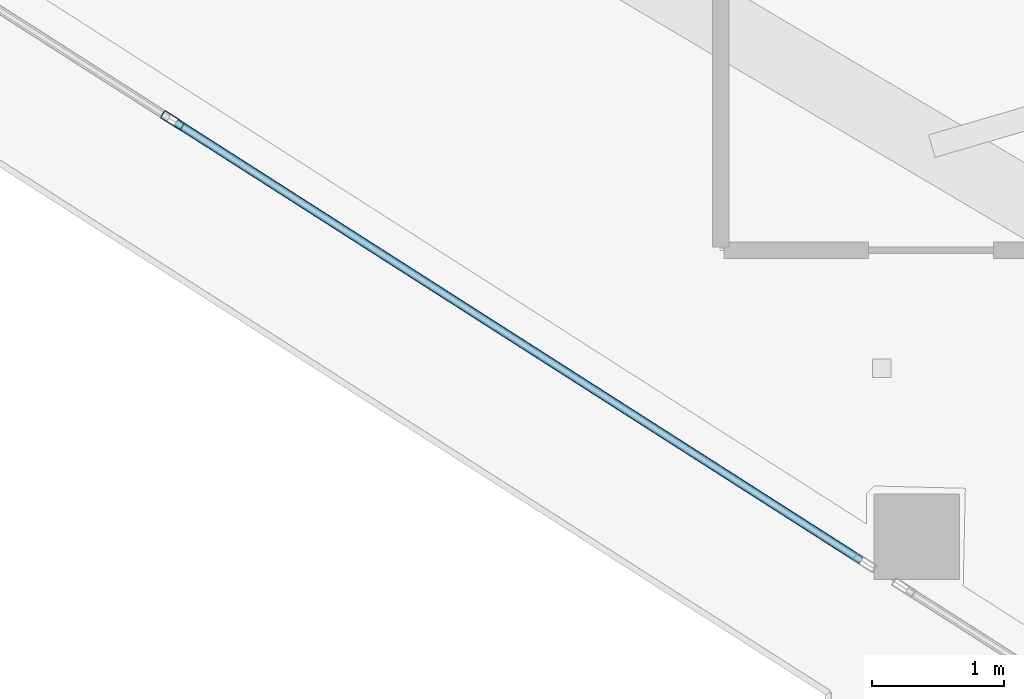
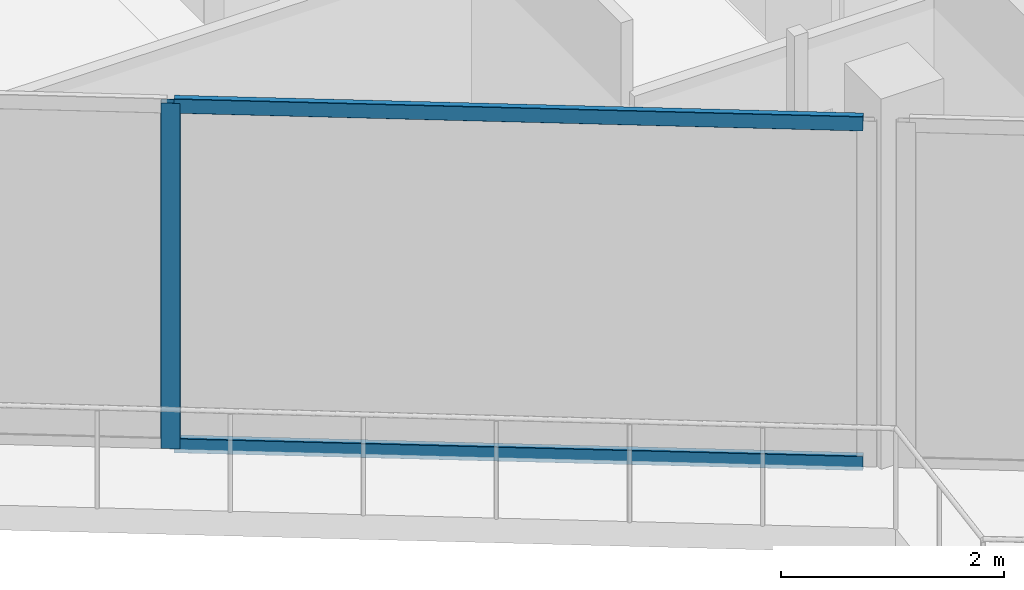
# One storey, part 2 of 36: 3 members, 1 element without a shape of its own.
"""IFC4 building model written with IfcOpenShell, lengths in metres."""

from ifc_helpers import new_model, si_unit, direction, frame, origin, origin_2d, place, context, subcontext, project, spatial, hollow_rectangle, extrude, material, layer, layer_set, material_profile, profile_set, type_object, element, aggregate, save


model = new_model("IFC4")

# Units and contexts
model_context = context("Model", 3, precision=1e-05, world=origin(), true_north=direction((0.0, 1.0)))
body_context = subcontext(model_context, "Body", "Model", "MODEL_VIEW")
ifc_project = project(units=[si_unit("LENGTHUNIT", "METRE"), si_unit("AREAUNIT", "SQUARE_METRE"), si_unit("VOLUMEUNIT", "CUBIC_METRE"), si_unit("PLANEANGLEUNIT", "RADIAN"), si_unit("MASSUNIT", "GRAM", prefix="KILO")], contexts=[model_context])

# Site, building, storey
site_placement = place(None, origin())
site = spatial("IfcSite", under=ifc_project, at=site_placement, CompositionType="ELEMENT")
building_placement = place(site_placement, origin())
building = spatial("IfcBuilding", under=site, at=building_placement, Name="Qorvath Tower", CompositionType="ELEMENT")
storey_placement = place(building_placement, frame((0.0, 0.0, 241.5)))
storey = spatial("IfcBuildingStorey", under=building, at=storey_placement, Name="L56", CompositionType="ELEMENT", Elevation=241.5)

# Curtain wall, members
ifc_material_1 = material(Name="Anodised aluminium and triple low-E glass", Category="aluminium")
ifc_layer = layer(ifc_material_1, 0.179931640625)
ifc_layer_set = layer_set([ifc_layer], Name="CW-SYS-3")
curtain_wall_type = type_object("IfcCurtainWallType", Name="CW-SYS-3", PredefinedType="NOTDEFINED", material=ifc_layer_set)
curtain_wall_placement = place(storey_placement, origin())
curtain_wall = element("IfcCurtainWall", 1, at=curtain_wall_placement, inside=storey, type_object=curtain_wall_type, Name="Curtain Wall CW-3 CW-T-L56-2.1", PredefinedType="NOTDEFINED")
ifc_material_2 = material(Name="Anodised aluminium 6063-T6", Category="aluminium")
ifc_material_profile_1 = material_profile(ifc_material_2, hollow_rectangle(XDim=0.06494140625, YDim=0.179931640625, WallThickness=0.00341796875, InnerFilletRadius=0.00341796875, OuterFilletRadius=0.007080078125, at=origin_2d()), Name="CWM 180x65")
ifc_profile_set_1 = profile_set([ifc_material_profile_1], Name="Anodised aluminium 6063-T6")
member_type_1 = type_object("IfcMemberType", Name="CWM-180", PredefinedType="MULLION", material=ifc_profile_set_1)
member_1_placement = place(storey_placement, frame((-42.0234375, -9.970947265625, 0.0), z_axis=(0.0, 0.0, 1.0), x_axis=(0.538531424585, 0.842605426481, 0.0)))
member_1 = element("IfcMember", 2, at=member_1_placement, type_object=member_type_1, Name="CW-3 mullion 3", PredefinedType="MULLION", context=body_context, shape_type="SweptSolid", body=[
    extrude(hollow_rectangle(XDim=0.06494140625, YDim=0.179931640625, WallThickness=0.00341796875, InnerFilletRadius=0.00341796875, OuterFilletRadius=0.007080078125, at=origin_2d()), origin(), (0.0, 0.0, 1.0), 3.780029296875),
])
ifc_material_3 = material(Name="Anodised aluminium 6063-T6", Category="aluminium")
ifc_material_profile_2 = material_profile(ifc_material_3, hollow_rectangle(XDim=0.06494140625, YDim=0.159912109375, WallThickness=0.00341796875, InnerFilletRadius=0.00341796875, OuterFilletRadius=0.007080078125, at=origin_2d()), Name="CWT 160x65")
ifc_profile_set_2 = profile_set([ifc_material_profile_2], Name="Anodised aluminium 6063-T6")
member_type_2 = type_object("IfcMemberType", Name="CWT-160", PredefinedType="USERDEFINED", material=ifc_profile_set_2)
member_2_placement = place(storey_placement, frame((-41.99609375, -9.98828125, 0.032470703125), z_axis=(0.842599152459, -0.538541241017, 0.0), x_axis=(0.538541241017, 0.842599152459, 0.0)))
member_2 = element("IfcMember", 3, at=member_2_placement, type_object=member_type_2, Name="CW-3 transom 3.1", ObjectType="TRANSOM", PredefinedType="USERDEFINED", context=body_context, shape_type="SweptSolid", body=[
    extrude(hollow_rectangle(XDim=0.06494140625, YDim=0.159912109375, WallThickness=0.00341796875, InnerFilletRadius=0.00341796875, OuterFilletRadius=0.007080078125, at=origin_2d()), origin(), (0.0, 0.0, 1.0), 6.179443359375),
])
member_3_placement = place(storey_placement, frame((-41.99609375, -9.98828125, 3.74755859375), z_axis=(0.842599152459, -0.538541241017, 0.0), x_axis=(0.538541241017, 0.842599152459, 0.0)))
member_3 = element("IfcMember", 4, at=member_3_placement, type_object=member_type_2, Name="CW-3 transom 3.2", ObjectType="TRANSOM", PredefinedType="USERDEFINED", context=body_context, shape_type="SweptSolid", body=[
    extrude(hollow_rectangle(XDim=0.06494140625, YDim=0.159912109375, WallThickness=0.00341796875, InnerFilletRadius=0.00341796875, OuterFilletRadius=0.007080078125, at=origin_2d()), origin(), (0.0, 0.0, 1.0), 6.179443359375),
])
aggregate(curtain_wall, [member_1, member_2, member_3])

save(model, "model.ifc")
